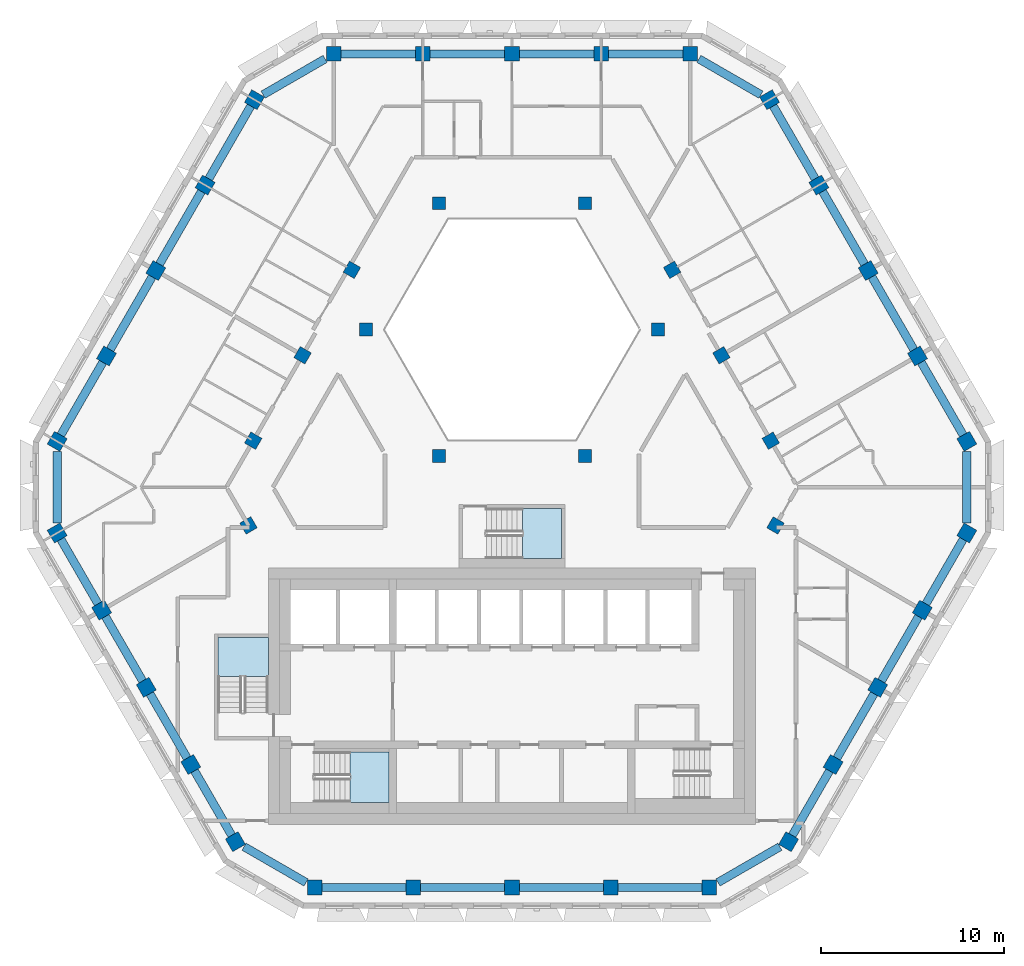
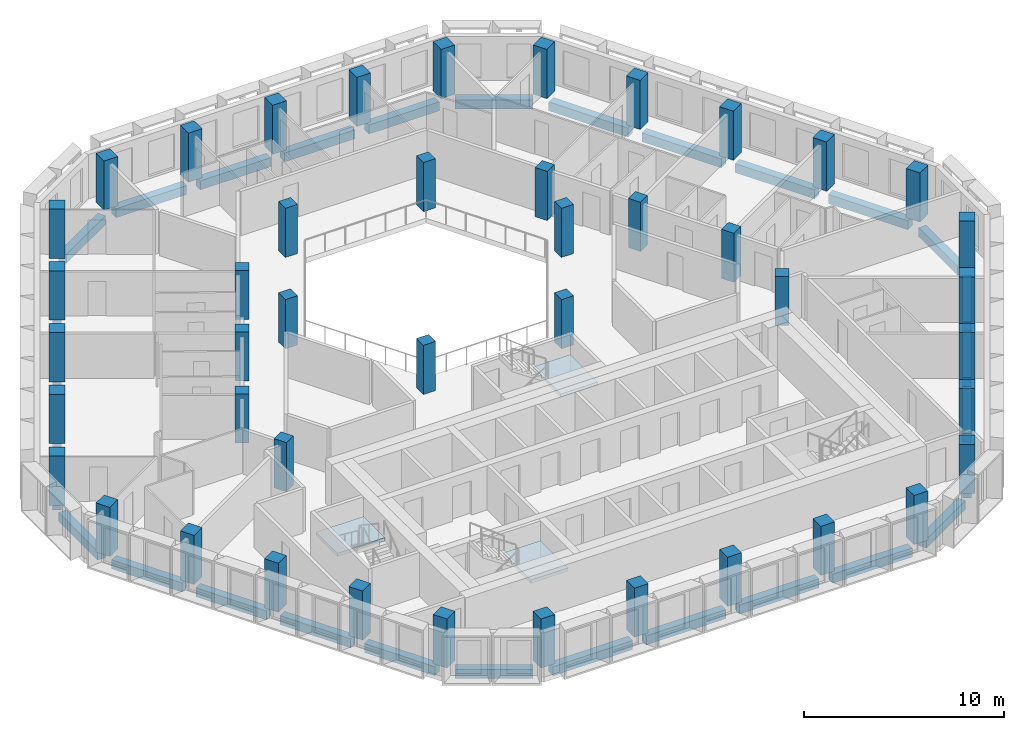
# One storey, part 1 of 18: 44 columns, 30 beams, 3 slabs, 3 elements without a shape of their own.
"""IFC4 building model written with IfcOpenShell, lengths in metres."""

from ifc_helpers import new_model, si_unit, direction, frame, origin, origin_2d, place, context, subcontext, project, spatial, polyline, rectangle, outline, extrude, material, layer, layer_set, material_profile, profile_set, type_object, element, aggregate, save


model = new_model("IFC4")

# Units and contexts
model_context = context("Model", 3, precision=1e-05, world=origin(), true_north=direction((0.0, 1.0)))
body_context = subcontext(model_context, "Body", "Model", "MODEL_VIEW")
ifc_project = project(units=[si_unit("LENGTHUNIT", "METRE"), si_unit("AREAUNIT", "SQUARE_METRE"), si_unit("VOLUMEUNIT", "CUBIC_METRE"), si_unit("PLANEANGLEUNIT", "RADIAN"), si_unit("MASSUNIT", "GRAM", prefix="KILO")], contexts=[model_context])

# Site, building, storey
site_placement = place(None, origin())
site = spatial("IfcSite", under=ifc_project, at=site_placement, CompositionType="ELEMENT")
building_placement = place(site_placement, origin())
building = spatial("IfcBuilding", under=site, at=building_placement, Name="Beryl Residences", CompositionType="ELEMENT")
storey_placement = place(building_placement, frame((0.0, 0.0, 190.199951171875)))
storey = spatial("IfcBuildingStorey", under=building, at=storey_placement, Name="L58", CompositionType="ELEMENT", Elevation=190.199951171875)

# Columns
ifc_material_1 = material(Name="Concrete C50/60", Category="concrete")
ifc_material_profile_1 = material_profile(ifc_material_1, rectangle(XDim=0.800048828125, YDim=0.800048828125, at=origin_2d()))
ifc_profile_set_1 = profile_set([ifc_material_profile_1], Name="Concrete C50/60")
column_type_1 = type_object("IfcColumnType", Name="C4 tube column 800 x 800 C50/60", PredefinedType="COLUMN", material=ifc_profile_set_1)
for number, where, z_axis, x_axis, name in (
    (1, (9.72802734375, 23.050048828125, 0.0), (0.0, 0.0, 1.0), (-1.0, 0.0, 0.0), "C4-N1 L58"),
    (2, (4.864013671875, 23.050048828125, 0.0), (0.0, 0.0, 1.0), (-1.0, 0.0, 0.0), "C4-N2 L58"),
    (3, (0.0, 23.050048828125, 0.0), (0.0, 0.0, 1.0), (-1.0, 0.0, 0.0), "C4-N3 L58"),
    (4, (-4.864013671875, 23.050048828125, 0.0), (0.0, 0.0, 1.0), (-1.0, 0.0, 0.0), "C4-N4 L58"),
    (5, (-9.72802734375, 23.050048828125, 0.0), (0.0, 0.0, 1.0), (-1.0, 0.0, 0.0), "C4-N5 L58"),
    (6, (-14.05810546875, 20.550048828125, 0.0), (0.0, 0.0, 1.0), (-0.5, -0.866025403784, 0.0), "C4-NW1 L58"),
    (7, (-16.75, 15.887939453125, 0.0), (0.0, 0.0, 1.0), (-0.5, -0.866025403784, 0.0), "C4-NW2 L58"),
    (8, (-19.44189453125, 11.22509765625, 0.0), (0.0, 0.0, 1.0), (-0.5, -0.866025403784, 0.0), "C4-NW3 L58"),
    (9, (-22.134033203125, 6.56201171875, 0.0), (0.0, 0.0, 1.0), (-0.5, -0.866025403784, 0.0), "C4-NW4 L58"),
    (10, (-24.825927734375, 1.89990234375, 0.0), (0.0, 0.0, 1.0), (-0.5, -0.866025403784, 0.0), "C4-NW5 L58"),
    (11, (-24.825927734375, -3.09912109375, 0.0), (0.0, 0.0, 1.0), (0.5, -0.866025403784, 0.0), "C4-SW1 L58"),
    (12, (-22.39404296875, -7.31201171875, 0.0), (0.0, 0.0, 1.0), (0.5, -0.866025403784, 0.0), "C4-SW2 L58"),
    (13, (-19.9619140625, -11.52392578125, 0.0), (0.0, 0.0, 1.0), (0.5, -0.866025403784, 0.0), "C4-SW3 L58"),
    (14, (-17.530029296875, -15.736083984375, 0.0), (0.0, 0.0, 1.0), (0.5, -0.866025403784, 0.0), "C4-SW4 L58"),
    (15, (-15.097900390625, -19.948974609375, 0.0), (0.0, 0.0, 1.0), (0.5, -0.866025403784, 0.0), "C4-SW5 L58"),
    (16, (-10.76708984375, -22.449951171875, 0.0), (0.0, 0.0, 1.0), (1.0, 0.0, 0.0), "C4-S1 L58"),
    (17, (-5.383056640625, -22.449951171875, 0.0), (0.0, 0.0, 1.0), (1.0, 0.0, 0.0), "C4-S2 L58"),
    (18, (0.0009765625, -22.449951171875, 0.0), (0.0, 0.0, 1.0), (1.0, 0.0, 0.0), "C4-S3 L58"),
    (19, (5.385009765625, -22.449951171875, 0.0), (0.0, 0.0, 1.0), (1.0, 0.0, 0.0), "C4-S4 L58"),
    (20, (10.76904296875, -22.449951171875, 0.0), (0.0, 0.0, 1.0), (1.0, 0.0, 0.0), "C4-S5 L58"),
    (21, (15.096923828125, -19.950927734375, 0.0), (0.0, 0.0, 1.0), (0.5, 0.866025403784, 0.0), "C4-SE1 L58"),
    (22, (17.529052734375, -15.738037109375, 0.0), (0.0, 0.0, 1.0), (0.5, 0.866025403784, 0.0), "C4-SE2 L58"),
    (23, (19.9609375, -11.52587890625, 0.0), (0.0, 0.0, 1.0), (0.5, 0.866025403784, 0.0), "C4-SE3 L58"),
    (24, (22.39306640625, -7.31396484375, 0.0), (0.0, 0.0, 1.0), (0.5, 0.866025403784, 0.0), "C4-SE4 L58"),
    (25, (24.824951171875, -3.10107421875, 0.0), (0.0, 0.0, 1.0), (0.5, 0.866025403784, 0.0), "C4-SE5 L58"),
    (26, (24.825927734375, 1.89990234375, 0.0), (0.0, 0.0, 1.0), (-0.5, 0.866025403784, 0.0), "C4-NE1 L58"),
    (27, (22.134033203125, 6.56201171875, 0.0), (0.0, 0.0, 1.0), (-0.5, 0.866025403784, 0.0), "C4-NE2 L58"),
    (28, (19.44189453125, 11.22509765625, 0.0), (0.0, 0.0, 1.0), (-0.5, 0.866025403784, 0.0), "C4-NE3 L58"),
    (29, (16.75, 15.887939453125, 0.0), (0.0, 0.0, 1.0), (-0.5, 0.866025403784, 0.0), "C4-NE4 L58"),
    (30, (14.05810546875, 20.550048828125, 0.0), (0.0, 0.0, 1.0), (-0.5, 0.866025403784, 0.0), "C4-NE5 L58"),
):
    element("IfcColumn", number, at=place(storey_placement, frame(where, z_axis=z_axis, x_axis=x_axis)), inside=storey, type_object=column_type_1, Name=name, PredefinedType="COLUMN", context=body_context, shape_type="SweptSolid", body=[
        extrude(rectangle(XDim=0.800048828125, YDim=0.800048828125, at=origin_2d()), origin(), (0.0, 0.0, 1.0), 3.0),
    ])
ifc_material_2 = material(Name="Concrete C50/60", Category="concrete")
ifc_material_profile_2 = material_profile(ifc_material_2, rectangle(XDim=0.699951171875, YDim=0.699951171875, at=origin_2d()))
ifc_profile_set_2 = profile_set([ifc_material_profile_2], Name="Concrete C50/60")
column_type_2 = type_object("IfcColumnType", Name="IC4 interior column 700 x 700 C50/60", PredefinedType="COLUMN", material=ifc_profile_set_2)
for number, where, z_axis, x_axis, name in (
    (31, (-14.383056640625, -2.68701171875, 0.0), (0.0, 0.0, 1.0), (0.5, -0.866025403784, 0.0), "IC4-M01 L58"),
    (32, (14.382080078125, -2.68896484375, 0.0), (0.0, 0.0, 1.0), (0.5, 0.866025403784, 0.0), "IC4-M02 L58"),
    (33, (14.123046875, 1.93701171875, 0.0), (0.0, 0.0, 1.0), (-0.5, 0.866025403784, 0.0), "IC4-M03 L58"),
    (34, (3.98388671875, 1.10009765625, 0.0), (0.0, 0.0, 1.0), (1.0, 0.0, 0.0), "IC4-A04 L58"),
    (35, (11.430908203125, 6.60009765625, 0.0), (0.0, 0.0, 1.0), (-0.5, 0.866025403784, 0.0), "IC4-M05 L58"),
    (36, (7.967041015625, 8.0, 0.0), (0.0, 0.0, 1.0), (1.0, 0.0, 0.0), "IC4-A06 L58"),
    (37, (8.739013671875, 11.262939453125, 0.0), (0.0, 0.0, 1.0), (-0.5, 0.866025403784, 0.0), "IC4-M07 L58"),
    (38, (3.98388671875, 14.89990234375, 0.0), (0.0, 0.0, 1.0), (1.0, 0.0, 0.0), "IC4-A08 L58"),
    (39, (-3.98388671875, 14.89990234375, 0.0), (0.0, 0.0, 1.0), (1.0, 0.0, 0.0), "IC4-A09 L58"),
    (40, (-8.739013671875, 11.262939453125, 0.0), (0.0, 0.0, 1.0), (-0.5, -0.866025403784, 0.0), "IC4-M10 L58"),
    (41, (-7.967041015625, 8.0, 0.0), (0.0, 0.0, 1.0), (1.0, 0.0, 0.0), "IC4-A11 L58"),
    (42, (-11.430908203125, 6.60009765625, 0.0), (0.0, 0.0, 1.0), (-0.5, -0.866025403784, 0.0), "IC4-M12 L58"),
    (43, (-3.98388671875, 1.10009765625, 0.0), (0.0, 0.0, 1.0), (1.0, 0.0, 0.0), "IC4-A13 L58"),
    (44, (-14.123046875, 1.93701171875, 0.0), (0.0, 0.0, 1.0), (-0.5, -0.866025403784, 0.0), "IC4-M14 L58"),
):
    element("IfcColumn", number, at=place(storey_placement, frame(where, z_axis=z_axis, x_axis=x_axis)), inside=storey, type_object=column_type_2, Name=name, PredefinedType="COLUMN", context=body_context, shape_type="SweptSolid", body=[
        extrude(rectangle(XDim=0.699951171875, YDim=0.699951171875, at=origin_2d()), origin(), (0.0, 0.0, 1.0), 3.0),
    ])

# Beams
ifc_material_3 = material(Name="Concrete C50/60", Category="concrete")
ifc_material_profile_3 = material_profile(ifc_material_3, rectangle(XDim=0.449951171875, YDim=0.550048828125, at=origin_2d()))
ifc_profile_set_3 = profile_set([ifc_material_profile_3], Name="Concrete C50/60")
beam_type = type_object("IfcBeamType", Name="SB4 spandrel beam 450 x 550 C50/60", PredefinedType="SPANDREL", material=ifc_profile_set_3)
beam_1_placement = place(storey_placement, frame((9.327880859375, 23.050048828125, -0.574951171875), z_axis=(-1.0, 0.0, 0.0), x_axis=(0.0, -1.0, 0.0)))
element("IfcBeam", 45, at=beam_1_placement, inside=storey, type_object=beam_type, Name="SB4 L58 N-0", PredefinedType="SPANDREL", context=body_context, shape_type="SweptSolid", body=[
    extrude(rectangle(XDim=0.449951171875, YDim=0.550048828125, at=origin_2d()), origin(), (0.0, 0.0, 1.0), 4.06396484375),
])
for number, where, z_axis, x_axis, name in (
    (46, (4.464111328125, 23.050048828125, -0.574951171875), (-1.0, 0.0, 0.0), (0.0, -1.0, 0.0), "SB4 L58 N-1"),
    (47, (-0.39990234375, 23.050048828125, -0.574951171875), (-1.0, 0.0, 0.0), (0.0, -1.0, 0.0), "SB4 L58 N-2"),
):
    element("IfcBeam", number, at=place(storey_placement, frame(where, z_axis=z_axis, x_axis=x_axis)), inside=storey, type_object=beam_type, Name=name, PredefinedType="SPANDREL", context=body_context, shape_type="SweptSolid", body=[
        extrude(rectangle(XDim=0.449951171875, YDim=0.550048828125, at=origin_2d()), origin(), (0.0, 0.0, 1.0), 4.064208984375),
    ])
beam_2_placement = place(storey_placement, frame((-5.263916015625, 23.050048828125, -0.574951171875), z_axis=(-1.0, 0.0, 0.0), x_axis=(0.0, -1.0, 0.0)))
element("IfcBeam", 48, at=beam_2_placement, inside=storey, type_object=beam_type, Name="SB4 L58 N-3", PredefinedType="SPANDREL", context=body_context, shape_type="SweptSolid", body=[
    extrude(rectangle(XDim=0.449951171875, YDim=0.550048828125, at=origin_2d()), origin(), (0.0, 0.0, 1.0), 4.06396484375),
])
beam_3_placement = place(storey_placement, frame((-10.200927734375, 22.777099609375, -0.574951171875), z_axis=(-0.865988935984, -0.500063158763, 0.0), x_axis=(0.500063158763, -0.865988935984, 0.0)))
element("IfcBeam", 49, at=beam_3_placement, inside=storey, type_object=beam_type, Name="SB4 L58 N-4", PredefinedType="SPANDREL", context=body_context, shape_type="SweptSolid", body=[
    extrude(rectangle(XDim=0.449951171875, YDim=0.550048828125, at=origin_2d()), origin(), (0.0, 0.0, 1.0), 3.90771484375),
])
beam_4_placement = place(storey_placement, frame((-14.258056640625, 20.2041015625, -0.574951171875), z_axis=(-0.499965247104, -0.866045467449, 0.0), x_axis=(0.866045467449, -0.499965247104, 0.0)))
element("IfcBeam", 50, at=beam_4_placement, inside=storey, type_object=beam_type, Name="SB4 L58 NW-0", PredefinedType="SPANDREL", context=body_context, shape_type="SweptSolid", body=[
    extrude(rectangle(XDim=0.449951171875, YDim=0.550048828125, at=origin_2d()), origin(), (0.0, 0.0, 1.0), 4.584228515625),
])
for number, where, z_axis, x_axis, name in (
    (51, (-16.949951171875, 15.5419921875, -0.574951171875), (-0.499896077001, -0.866085395443, 0.0), (0.866085395443, -0.499896077001, 0.0), "SB4 L58 NW-1"),
    (52, (-19.64208984375, 10.87890625, -0.574951171875), (-0.499896077001, -0.866085395443, 0.0), (0.866085395443, -0.499896077001, 0.0), "SB4 L58 NW-2"),
):
    element("IfcBeam", number, at=place(storey_placement, frame(where, z_axis=z_axis, x_axis=x_axis)), inside=storey, type_object=beam_type, Name=name, PredefinedType="SPANDREL", context=body_context, shape_type="SweptSolid", body=[
        extrude(rectangle(XDim=0.449951171875, YDim=0.550048828125, at=origin_2d()), origin(), (0.0, 0.0, 1.0), 4.5849609375),
    ])
beam_5_placement = place(storey_placement, frame((-22.333984375, 6.216064453125, -0.574951171875), z_axis=(-0.49998830735, -0.866032154434, 0.0), x_axis=(0.866032154434, -0.49998830735, 0.0)))
element("IfcBeam", 53, at=beam_5_placement, inside=storey, type_object=beam_type, Name="SB4 L58 NW-3", PredefinedType="SPANDREL", context=body_context, shape_type="SweptSolid", body=[
    extrude(rectangle(XDim=0.449951171875, YDim=0.550048828125, at=origin_2d()), origin(), (0.0, 0.0, 1.0), 4.583984375),
])
beam_6_placement = place(storey_placement, frame((-24.825927734375, 1.35400390625, -0.574951171875), z_axis=(0.0, -1.0, 0.0), x_axis=(1.0, 0.0, 0.0)))
element("IfcBeam", 54, at=beam_6_placement, inside=storey, type_object=beam_type, Name="SB4 L58 NW-4", PredefinedType="SPANDREL", context=body_context, shape_type="SweptSolid", body=[
    extrude(rectangle(XDim=0.449951171875, YDim=0.550048828125, at=origin_2d()), origin(), (0.0, 0.0, 1.0), 3.906982421875),
])
beam_7_placement = place(storey_placement, frame((-24.6259765625, -3.445068359375, -0.574951171875), z_axis=(0.499840293234, -0.866117590896, 0.0), x_axis=(0.866117590896, 0.499840293234, 0.0)))
element("IfcBeam", 55, at=beam_7_placement, inside=storey, type_object=beam_type, Name="SB4 L58 SW-0", PredefinedType="SPANDREL", context=body_context, shape_type="SweptSolid", body=[
    extrude(rectangle(XDim=0.449951171875, YDim=0.550048828125, at=origin_2d()), origin(), (0.0, 0.0, 1.0), 4.065185546875),
])
beam_8_placement = place(storey_placement, frame((-22.194091796875, -7.657958984375, -0.574951171875), z_axis=(0.499944307952, -0.866057555216, 0.0), x_axis=(0.866057555216, 0.499944307952, 0.0)))
element("IfcBeam", 56, at=beam_8_placement, inside=storey, type_object=beam_type, Name="SB4 L58 SW-1", PredefinedType="SPANDREL", context=body_context, shape_type="SweptSolid", body=[
    extrude(rectangle(XDim=0.449951171875, YDim=0.550048828125, at=origin_2d()), origin(), (0.0, 0.0, 1.0), 4.064453125),
])
beam_9_placement = place(storey_placement, frame((-19.761962890625, -11.8701171875, -0.574951171875), z_axis=(0.499970317269, -0.866042540439, 0.0), x_axis=(0.866042540439, 0.499970317269, 0.0)))
element("IfcBeam", 57, at=beam_9_placement, inside=storey, type_object=beam_type, Name="SB4 L58 SW-2", PredefinedType="SPANDREL", context=body_context, shape_type="SweptSolid", body=[
    extrude(rectangle(XDim=0.449951171875, YDim=0.550048828125, at=origin_2d()), origin(), (0.0, 0.0, 1.0), 4.064208984375),
])
beam_10_placement = place(storey_placement, frame((-17.330078125, -16.08203125, -0.574951171875), z_axis=(0.499840293234, -0.866117590896, 0.0), x_axis=(0.866117590896, 0.499840293234, 0.0)))
element("IfcBeam", 58, at=beam_10_placement, inside=storey, type_object=beam_type, Name="SB4 L58 SW-3", PredefinedType="SPANDREL", context=body_context, shape_type="SweptSolid", body=[
    extrude(rectangle(XDim=0.449951171875, YDim=0.550048828125, at=origin_2d()), origin(), (0.0, 0.0, 1.0), 4.065185546875),
])
beam_11_placement = place(storey_placement, frame((-14.625, -20.221923828125, -0.574951171875), z_axis=(0.865943218558, -0.500142321977, 0.0), x_axis=(0.500142321977, 0.865943218558, 0.0)))
element("IfcBeam", 59, at=beam_11_placement, inside=storey, type_object=beam_type, Name="SB4 L58 SW-4", PredefinedType="SPANDREL", context=body_context, shape_type="SweptSolid", body=[
    extrude(rectangle(XDim=0.449951171875, YDim=0.550048828125, at=origin_2d()), origin(), (0.0, 0.0, 1.0), 3.908935546875),
])
for number, where, z_axis, x_axis, name in (
    (60, (-10.366943359375, -22.449951171875, -0.574951171875), (1.0, 0.0, 0.0), (0.0, 1.0, 0.0), "SB4 L58 S-0"),
    (61, (-4.98291015625, -22.449951171875, -0.574951171875), (1.0, 0.0, 0.0), (0.0, 1.0, 0.0), "SB4 L58 S-1"),
):
    element("IfcBeam", number, at=place(storey_placement, frame(where, z_axis=z_axis, x_axis=x_axis)), inside=storey, type_object=beam_type, Name=name, PredefinedType="SPANDREL", context=body_context, shape_type="SweptSolid", body=[
        extrude(rectangle(XDim=0.449951171875, YDim=0.550048828125, at=origin_2d()), origin(), (0.0, 0.0, 1.0), 4.583984375),
    ])
beam_12_placement = place(storey_placement, frame((0.40087890625, -22.449951171875, -0.574951171875), z_axis=(1.0, 0.0, 0.0), x_axis=(0.0, 1.0, 0.0)))
element("IfcBeam", 62, at=beam_12_placement, inside=storey, type_object=beam_type, Name="SB4 L58 S-2", PredefinedType="SPANDREL", context=body_context, shape_type="SweptSolid", body=[
    extrude(rectangle(XDim=0.449951171875, YDim=0.550048828125, at=origin_2d()), origin(), (0.0, 0.0, 1.0), 4.584228515625),
])
beam_13_placement = place(storey_placement, frame((5.784912109375, -22.449951171875, -0.574951171875), z_axis=(1.0, 0.0, 0.0), x_axis=(0.0, 1.0, 0.0)))
element("IfcBeam", 63, at=beam_13_placement, inside=storey, type_object=beam_type, Name="SB4 L58 S-3", PredefinedType="SPANDREL", context=body_context, shape_type="SweptSolid", body=[
    extrude(rectangle(XDim=0.449951171875, YDim=0.550048828125, at=origin_2d()), origin(), (0.0, 0.0, 1.0), 4.583984375),
])
beam_14_placement = place(storey_placement, frame((11.241943359375, -22.177001953125, -0.574951171875), z_axis=(0.865999234303, 0.500045324131, 0.0), x_axis=(-0.500045324131, 0.865999234303, 0.0)))
element("IfcBeam", 64, at=beam_14_placement, inside=storey, type_object=beam_type, Name="SB4 L58 S-4", PredefinedType="SPANDREL", context=body_context, shape_type="SweptSolid", body=[
    extrude(rectangle(XDim=0.449951171875, YDim=0.550048828125, at=origin_2d()), origin(), (0.0, 0.0, 1.0), 3.905517578125),
])
beam_15_placement = place(storey_placement, frame((15.297119140625, -19.60498046875, -0.574951171875), z_axis=(0.499840293234, 0.866117590896, 0.0), x_axis=(-0.866117590896, 0.499840293234, 0.0)))
element("IfcBeam", 65, at=beam_15_placement, inside=storey, type_object=beam_type, Name="SB4 L58 SE-0", PredefinedType="SPANDREL", context=body_context, shape_type="SweptSolid", body=[
    extrude(rectangle(XDim=0.449951171875, YDim=0.550048828125, at=origin_2d()), origin(), (0.0, 0.0, 1.0), 4.065185546875),
])
for number, where, z_axis, x_axis, name in (
    (66, (17.72900390625, -15.39208984375, -0.574951171875), (0.499944307952, 0.866057555216, 0.0), (-0.866057555216, 0.499944307952, 0.0), "SB4 L58 SE-1"),
    (67, (20.160888671875, -11.179931640625, -0.574951171875), (0.499989360119, 0.866031546636, 0.0), (-0.866031546636, 0.499989360119, 0.0), "SB4 L58 SE-2"),
):
    element("IfcBeam", number, at=place(storey_placement, frame(where, z_axis=z_axis, x_axis=x_axis)), inside=storey, type_object=beam_type, Name=name, PredefinedType="SPANDREL", context=body_context, shape_type="SweptSolid", body=[
        extrude(rectangle(XDim=0.449951171875, YDim=0.550048828125, at=origin_2d()), origin(), (0.0, 0.0, 1.0), 4.064453125),
    ])
beam_16_placement = place(storey_placement, frame((22.593017578125, -6.968017578125, -0.574951171875), z_axis=(0.499840293234, 0.866117590896, 0.0), x_axis=(-0.866117590896, 0.499840293234, 0.0)))
element("IfcBeam", 68, at=beam_16_placement, inside=storey, type_object=beam_type, Name="SB4 L58 SE-3", PredefinedType="SPANDREL", context=body_context, shape_type="SweptSolid", body=[
    extrude(rectangle(XDim=0.449951171875, YDim=0.550048828125, at=origin_2d()), origin(), (0.0, 0.0, 1.0), 4.065185546875),
])
beam_17_placement = place(storey_placement, frame((24.824951171875, -2.554931640625, -0.574951171875), z_axis=(0.000249828235, 0.999999968793, 0.0), x_axis=(-0.999999968793, 0.000249828235, 0.0)))
element("IfcBeam", 69, at=beam_17_placement, inside=storey, type_object=beam_type, Name="SB4 L58 SE-4", PredefinedType="SPANDREL", context=body_context, shape_type="SweptSolid", body=[
    extrude(rectangle(XDim=0.449951171875, YDim=0.550048828125, at=origin_2d()), origin(), (0.0, 0.0, 1.0), 3.908935546875),
])
beam_18_placement = place(storey_placement, frame((24.6259765625, 2.24609375, -0.574951171875), z_axis=(-0.49998830735, 0.866032154434, 0.0), x_axis=(-0.866032154434, -0.49998830735, 0.0)))
element("IfcBeam", 70, at=beam_18_placement, inside=storey, type_object=beam_type, Name="SB4 L58 NE-0", PredefinedType="SPANDREL", context=body_context, shape_type="SweptSolid", body=[
    extrude(rectangle(XDim=0.449951171875, YDim=0.550048828125, at=origin_2d()), origin(), (0.0, 0.0, 1.0), 4.583984375),
])
for number, where, z_axis, x_axis, name in (
    (71, (21.93408203125, 6.907958984375, -0.574951171875), (-0.499896077001, 0.866085395443, 0.0), (-0.866085395443, -0.499896077001, 0.0), "SB4 L58 NE-1"),
    (72, (19.241943359375, 11.571044921875, -0.574951171875), (-0.499896077001, 0.866085395443, 0.0), (-0.866085395443, -0.499896077001, 0.0), "SB4 L58 NE-2"),
):
    element("IfcBeam", number, at=place(storey_placement, frame(where, z_axis=z_axis, x_axis=x_axis)), inside=storey, type_object=beam_type, Name=name, PredefinedType="SPANDREL", context=body_context, shape_type="SweptSolid", body=[
        extrude(rectangle(XDim=0.449951171875, YDim=0.550048828125, at=origin_2d()), origin(), (0.0, 0.0, 1.0), 4.5849609375),
    ])
beam_19_placement = place(storey_placement, frame((16.550048828125, 16.23388671875, -0.574951171875), z_axis=(-0.499965247104, 0.866045467449, 0.0), x_axis=(-0.866045467449, -0.499965247104, 0.0)))
element("IfcBeam", 73, at=beam_19_placement, inside=storey, type_object=beam_type, Name="SB4 L58 NE-3", PredefinedType="SPANDREL", context=body_context, shape_type="SweptSolid", body=[
    extrude(rectangle(XDim=0.449951171875, YDim=0.550048828125, at=origin_2d()), origin(), (0.0, 0.0, 1.0), 4.584228515625),
])
beam_20_placement = place(storey_placement, frame((13.5849609375, 20.822998046875, -0.574951171875), z_axis=(-0.865988935984, 0.500063158763, 0.0), x_axis=(-0.500063158763, -0.865988935984, 0.0)))
element("IfcBeam", 74, at=beam_20_placement, inside=storey, type_object=beam_type, Name="SB4 L58 NE-4", PredefinedType="SPANDREL", context=body_context, shape_type="SweptSolid", body=[
    extrude(rectangle(XDim=0.449951171875, YDim=0.550048828125, at=origin_2d()), origin(), (0.0, 0.0, 1.0), 3.90771484375),
])

# Stair, slab
ifc_material_4 = material(Name="Concrete C40/50", Category="concrete")
stair_type = type_object("IfcStairType", Name="ST1 protected exit stair, half-turn, 1300 mm flights", PredefinedType="HALF_TURN_STAIR", material=ifc_material_4)
stair_1_placement = place(storey_placement, origin())
stair_1 = element("IfcStair", 75, at=stair_1_placement, inside=storey, type_object=stair_type, Name="L58 PROTECTED EXIT STAIR ST-1", PredefinedType="HALF_TURN_STAIR")
ifc_material_5 = material(Name="Concrete C40/50", Category="concrete")
ifc_layer = layer(ifc_material_5, 0.199951171875)
ifc_layer_set = layer_set([ifc_layer], Name="SLD1 stair landing 200 mm")
slab_type = type_object("IfcSlabType", Name="SLD1 stair landing 200 mm", PredefinedType="LANDING", material=ifc_layer_set)
slab_1_placement = place(storey_placement, frame((0.0, 0.0, 1.300048828125)))
slab_1 = element("IfcSlab", 76, at=slab_1_placement, type_object=slab_type, Name="ST-1 landing 1", PredefinedType="LANDING", context=body_context, shape_type="SweptSolid", body=[
    extrude(outline(polyline([(-8.840087890625, -17.800048828125), (-6.699951171875, -17.800048828125), (-6.699951171875, -15.050048828125), (-8.840087890625, -15.050048828125), (-8.840087890625, -17.800048828125)])), origin(), (0.0, 0.0, 1.0), 0.199951171875),
])
aggregate(stair_1, [slab_1])

stair_2_placement = place(storey_placement, origin())
stair_2 = element("IfcStair", 77, at=stair_2_placement, inside=storey, type_object=stair_type, Name="L58 PROTECTED EXIT STAIR ST-2", PredefinedType="HALF_TURN_STAIR")
slab_2_placement = place(storey_placement, frame((0.0, 0.0, 1.300048828125)))
slab_2 = element("IfcSlab", 78, at=slab_2_placement, type_object=slab_type, Name="ST-2 landing 1", PredefinedType="LANDING", context=body_context, shape_type="SweptSolid", body=[
    extrude(outline(polyline([(-13.300048828125, -10.93994140625), (-13.300048828125, -8.800048828125), (-16.050048828125, -8.800048828125), (-16.050048828125, -10.93994140625), (-13.300048828125, -10.93994140625)])), origin(), (0.0, 0.0, 1.0), 0.199951171875),
])
aggregate(stair_2, [slab_2])

stair_3_placement = place(storey_placement, origin())
stair_3 = element("IfcStair", 79, at=stair_3_placement, inside=storey, type_object=stair_type, Name="L58 PROTECTED EXIT STAIR ST-4", PredefinedType="HALF_TURN_STAIR")
slab_3_placement = place(storey_placement, frame((0.0, 0.0, 1.300048828125)))
slab_3 = element("IfcSlab", 80, at=slab_3_placement, type_object=slab_type, Name="ST-4 landing 1", PredefinedType="LANDING", context=body_context, shape_type="SweptSolid", body=[
    extrude(outline(polyline([(0.56005859375, -4.5), (2.699951171875, -4.5), (2.699951171875, -1.75), (0.56005859375, -1.75), (0.56005859375, -4.5)])), origin(), (0.0, 0.0, 1.0), 0.199951171875),
])
aggregate(stair_3, [slab_3])

save(model, "model.ifc")
